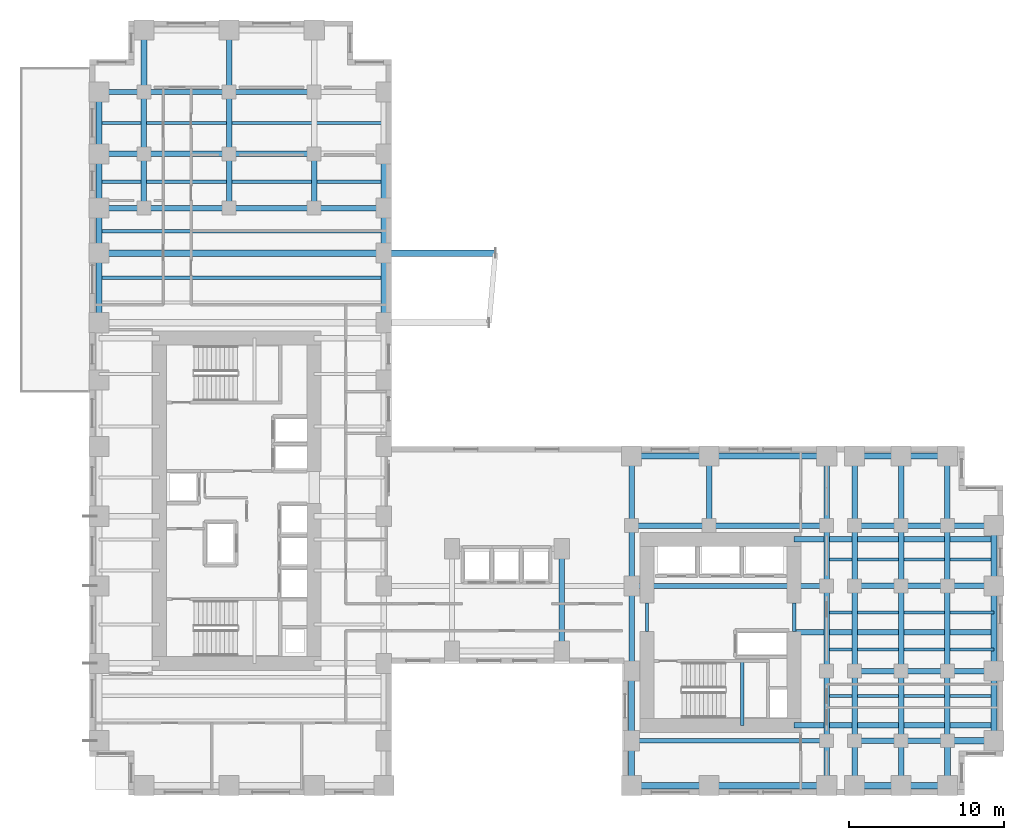
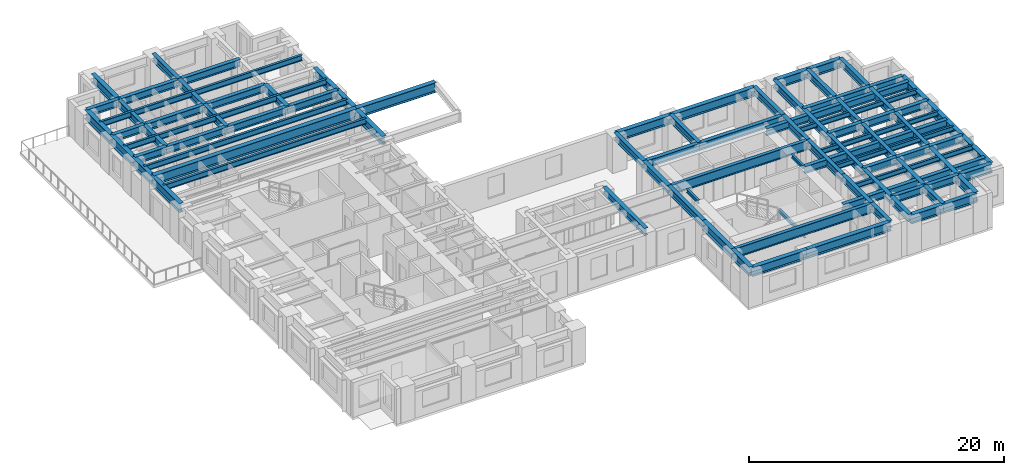
# One storey, part 3 of 15: 94 beams.
"""IFC4 building model written with IfcOpenShell, lengths in metres."""

from ifc_helpers import new_model, si_unit, direction, frame, origin, origin_2d, place, context, subcontext, project, spatial, i_section, extrude, source, transform, mapped, material, material_profile, profile_set, type_object, element, save


model = new_model("IFC4")

# Units and contexts
model_context = context("Model", 3, precision=1e-05, world=origin(), true_north=direction((0.0, 1.0)))
body_context = subcontext(model_context, "Body", "Model", "MODEL_VIEW")
ifc_project = project(units=[si_unit("LENGTHUNIT", "METRE"), si_unit("AREAUNIT", "SQUARE_METRE"), si_unit("VOLUMEUNIT", "CUBIC_METRE"), si_unit("PLANEANGLEUNIT", "RADIAN"), si_unit("MASSUNIT", "GRAM", prefix="KILO")], contexts=[model_context])

# Site, building, storey
site_placement = place(None, origin())
site = spatial("IfcSite", under=ifc_project, at=site_placement, CompositionType="ELEMENT")
building_placement = place(site_placement, origin())
building = spatial("IfcBuilding", under=site, at=building_placement, Name="Kharzan Plaza Tower", CompositionType="ELEMENT")
storey_placement = place(building_placement, frame((0.0, 0.0, 22.5)))
storey = spatial("IfcBuildingStorey", under=building, at=storey_placement, Name="L05", CompositionType="ELEMENT", Elevation=22.5)

# Beams
ifc_material = material(Name="Steel S355", Category="steel")
ifc_material_profile_1 = material_profile(ifc_material, i_section(OverallWidth=0.205078125, OverallDepth=0.35400390625, WebThickness=0.009521484375, FlangeThickness=0.016845703125, at=origin_2d()), Name="W360x79")
ifc_profile_set_1 = profile_set([ifc_material_profile_1], Name="Steel S355")
beam_type_1 = type_object("IfcBeamType", Name="BM-LNT360", PredefinedType="LINTEL", material=ifc_profile_set_1)
shared_shape_1 = source(origin(), body_context, "Body", "SweptSolid", [
    extrude(i_section(OverallWidth=0.205078125, OverallDepth=0.35400390625, WebThickness=0.009521484375, FlangeThickness=0.016845703125, at=origin_2d()), origin(), (0.0, 0.0, 1.0), 1.849853515625),
])
for number, where, z_axis, x_axis, name in (
    (1, (45.5, 10.550048828125, 3.202880859375), (0.0, 1.0, 0.0), (-1.0, 0.0, 0.0), "L05 CORE-B coupling lintel LN1-WE"),
    (2, (36.0, 10.550048828125, 3.202880859375), (0.0, 1.0, 0.0), (-1.0, 0.0, 0.0), "L05 CORE-B coupling lintel LN1-WW"),
):
    element("IfcBeam", number, at=place(storey_placement, frame(where, z_axis=z_axis, x_axis=x_axis)), inside=storey, type_object=beam_type_1, Name=name, PredefinedType="LINTEL", context=body_context, shape_type="MappedRepresentation", body=[
        mapped(shared_shape_1, transform((0.0, 0.0, 0.0), x_axis=(1.0, 0.0, 0.0), y_axis=(0.0, 1.0, 0.0), z_axis=(0.0, 0.0, 1.0))),
    ])
shared_shape_2 = source(origin(), body_context, "Body", "SweptSolid", [
    extrude(i_section(OverallWidth=0.205078125, OverallDepth=0.35400390625, WebThickness=0.009521484375, FlangeThickness=0.016845703125, at=origin_2d()), origin(), (0.0, 0.0, 1.0), 4.155029296875),
])
beam_1_placement = place(storey_placement, frame((42.14990234375, 4.5, 1.423095703125), z_axis=(0.0, 1.0, 0.0), x_axis=(-1.0, 0.0, 0.0)))
element("IfcBeam", 3, at=beam_1_placement, inside=storey, type_object=beam_type_1, Name="L05 Stair ST-3 Half-Landing Beam", PredefinedType="LINTEL", context=body_context, shape_type="MappedRepresentation", body=[
    mapped(shared_shape_2, transform((0.0, 0.0, 0.0), x_axis=(1.0, 0.0, 0.0), y_axis=(0.0, 1.0, 0.0), z_axis=(0.0, 0.0, 1.0))),
])
ifc_material_profile_2 = material_profile(ifc_material, i_section(OverallWidth=0.304931640625, OverallDepth=0.9189453125, WebThickness=0.017333984375, FlangeThickness=0.02783203125, at=origin_2d()), Name="W920x253")
ifc_profile_set_2 = profile_set([ifc_material_profile_2], Name="Steel S355")
beam_type_2 = type_object("IfcBeamType", Name="BM-FG920B", PredefinedType="BEAM", material=ifc_profile_set_2)
shared_shape_3 = source(origin(), body_context, "Body", "SweptSolid", [
    extrude(i_section(OverallWidth=0.304931640625, OverallDepth=0.9189453125, WebThickness=0.017333984375, FlangeThickness=0.02783203125, at=origin_2d()), origin(), (0.0, 0.0, 1.0), 12.60009765625),
])
for number, where, z_axis, x_axis, name in (
    (4, (35.0, 3.5, 2.92041015625), (1.0, 0.0, 0.0), (0.0, 1.0, 0.0), "L05 Primary Floor Girder"),
    (5, (35.0, 13.5, 2.92041015625), (1.0, 0.0, 0.0), (0.0, 1.0, 0.0), "L05 Primary Floor Girder"),
):
    element("IfcBeam", number, at=place(storey_placement, frame(where, z_axis=z_axis, x_axis=x_axis)), inside=storey, type_object=beam_type_2, Name=name, PredefinedType="BEAM", context=body_context, shape_type="MappedRepresentation", body=[
        mapped(shared_shape_3, transform((0.0, 0.0, 0.0), x_axis=(1.0, 0.0, 0.0), y_axis=(0.0, 1.0, 0.0), z_axis=(0.0, 0.0, 1.0))),
    ])
ifc_material_profile_3 = material_profile(ifc_material, i_section(OverallWidth=0.35498046875, OverallDepth=0.695068359375, WebThickness=0.015380859375, FlangeThickness=0.02490234375, at=origin_2d()), Name="W690x217")
ifc_profile_set_3 = profile_set([ifc_material_profile_3], Name="Steel S355")
beam_type_3 = type_object("IfcBeamType", Name="BM-FG690A", PredefinedType="BEAM", material=ifc_profile_set_3)
shared_shape_4 = source(origin(), body_context, "Body", "SweptSolid", [
    extrude(i_section(OverallWidth=0.35498046875, OverallDepth=0.695068359375, WebThickness=0.015380859375, FlangeThickness=0.02490234375, at=origin_2d()), origin(), (0.0, 0.0, 1.0), 4.5),
])
for number, where, z_axis, x_axis, name in (
    (6, (35.0, 17.39990234375, 3.032470703125), (0.0, 1.0, 0.0), (-1.0, 0.0, 0.0), "L05 Interior Frame Girder"),
    (7, (40.0, 17.39990234375, 3.032470703125), (0.0, 1.0, 0.0), (-1.0, 0.0, 0.0), "L05 Interior Frame Girder"),
    (8, (47.60009765625, 3.5, 3.032470703125), (0.0, 1.0, 0.0), (-1.0, 0.0, 0.0), "L05 Interior Frame Girder"),
    (9, (47.60009765625, 17.39990234375, 3.032470703125), (0.0, 1.0, 0.0), (-1.0, 0.0, 0.0), "L05 Interior Frame Girder"),
    (10, (49.39990234375, 3.5, 3.032470703125), (0.0, 1.0, 0.0), (-1.0, 0.0, 0.0), "L05 Interior Frame Girder"),
    (11, (49.39990234375, 17.39990234375, 3.032470703125), (0.0, 1.0, 0.0), (-1.0, 0.0, 0.0), "L05 Interior Frame Girder"),
    (12, (52.39990234375, 3.5, 3.032470703125), (0.0, 1.0, 0.0), (-1.0, 0.0, 0.0), "L05 Interior Frame Girder"),
    (13, (52.39990234375, 17.39990234375, 3.032470703125), (0.0, 1.0, 0.0), (-1.0, 0.0, 0.0), "L05 Interior Frame Girder"),
    (14, (55.39990234375, 3.5, 3.032470703125), (0.0, 1.0, 0.0), (-1.0, 0.0, 0.0), "L05 Interior Frame Girder"),
    (15, (55.39990234375, 17.39990234375, 3.032470703125), (0.0, 1.0, 0.0), (-1.0, 0.0, 0.0), "L05 Interior Frame Girder"),
    (16, (14.5, 37.89990234375, 3.032470703125), (1.0, 0.0, 0.0), (0.0, 1.0, 0.0), "L05 Primary Floor Girder"),
):
    element("IfcBeam", number, at=place(storey_placement, frame(where, z_axis=z_axis, x_axis=x_axis)), inside=storey, type_object=beam_type_3, Name=name, PredefinedType="BEAM", context=body_context, shape_type="MappedRepresentation", body=[
        mapped(shared_shape_4, transform((0.0, 0.0, 0.0), x_axis=(1.0, 0.0, 0.0), y_axis=(0.0, 1.0, 0.0), z_axis=(0.0, 0.0, 1.0))),
    ])
shared_shape_5 = source(origin(), body_context, "Body", "SweptSolid", [
    extrude(i_section(OverallWidth=0.35498046875, OverallDepth=0.695068359375, WebThickness=0.015380859375, FlangeThickness=0.02490234375, at=origin_2d()), origin(), (0.0, 0.0, 1.0), 3.89990234375),
])
for number, where, z_axis, x_axis, name in (
    (17, (35.0, 13.5, 3.032470703125), (0.0, 1.0, 0.0), (-1.0, 0.0, 0.0), "L05 Interior Frame Girder"),
    (18, (47.60009765625, 13.5, 3.032470703125), (0.0, 1.0, 0.0), (-1.0, 0.0, 0.0), "L05 Interior Frame Girder"),
    (19, (49.39990234375, 13.5, 3.032470703125), (0.0, 1.0, 0.0), (-1.0, 0.0, 0.0), "L05 Interior Frame Girder"),
    (20, (52.39990234375, 13.5, 3.032470703125), (0.0, 1.0, 0.0), (-1.0, 0.0, 0.0), "L05 Interior Frame Girder"),
    (21, (55.39990234375, 13.5, 3.032470703125), (0.0, 1.0, 0.0), (-1.0, 0.0, 0.0), "L05 Interior Frame Girder"),
):
    element("IfcBeam", number, at=place(storey_placement, frame(where, z_axis=z_axis, x_axis=x_axis)), inside=storey, type_object=beam_type_3, Name=name, PredefinedType="BEAM", context=body_context, shape_type="MappedRepresentation", body=[
        mapped(shared_shape_5, transform((0.0, 0.0, 0.0), x_axis=(1.0, 0.0, 0.0), y_axis=(0.0, 1.0, 0.0), z_axis=(0.0, 0.0, 1.0))),
    ])
shared_shape_6 = source(origin(), body_context, "Body", "SweptSolid", [
    extrude(i_section(OverallWidth=0.35498046875, OverallDepth=0.695068359375, WebThickness=0.015380859375, FlangeThickness=0.02490234375, at=origin_2d()), origin(), (0.0, 0.0, 1.0), 12.89990234375),
])
for number, where, z_axis, x_axis, name in (
    (22, (45.5, 4.5, 3.032470703125), (1.0, 0.0, 0.0), (0.0, 1.0, 0.0), "L05 Core-B East Floor Girder 1"),
    (23, (45.5, 10.5, 3.032470703125), (1.0, 0.0, 0.0), (0.0, 1.0, 0.0), "L05 Core-B East Floor Girder 2"),
    (24, (45.5, 16.5, 3.032470703125), (1.0, 0.0, 0.0), (0.0, 1.0, 0.0), "L05 Core-B East Floor Girder 3"),
):
    element("IfcBeam", number, at=place(storey_placement, frame(where, z_axis=z_axis, x_axis=x_axis)), inside=storey, type_object=beam_type_3, Name=name, PredefinedType="BEAM", context=body_context, shape_type="MappedRepresentation", body=[
        mapped(shared_shape_6, transform((0.0, 0.0, 0.0), x_axis=(1.0, 0.0, 0.0), y_axis=(0.0, 1.0, 0.0), z_axis=(0.0, 0.0, 1.0))),
    ])
shared_shape_7 = source(origin(), body_context, "Body", "SweptSolid", [
    extrude(i_section(OverallWidth=0.35498046875, OverallDepth=0.695068359375, WebThickness=0.015380859375, FlangeThickness=0.02490234375, at=origin_2d()), origin(), (0.0, 0.0, 1.0), 3.5),
])
for number, where, z_axis, x_axis, name in (
    (25, (3.5, 37.89990234375, 3.032470703125), (0.0, 1.0, 0.0), (-1.0, 0.0, 0.0), "L05 Interior Frame Girder"),
    (26, (9.0, 37.89990234375, 3.032470703125), (0.0, 1.0, 0.0), (-1.0, 0.0, 0.0), "L05 Interior Frame Girder"),
    (27, (14.5, 37.89990234375, 3.032470703125), (0.0, 1.0, 0.0), (-1.0, 0.0, 0.0), "L05 Interior Frame Girder"),
):
    element("IfcBeam", number, at=place(storey_placement, frame(where, z_axis=z_axis, x_axis=x_axis)), inside=storey, type_object=beam_type_3, Name=name, PredefinedType="BEAM", context=body_context, shape_type="MappedRepresentation", body=[
        mapped(shared_shape_7, transform((0.0, 0.0, 0.0), x_axis=(1.0, 0.0, 0.0), y_axis=(0.0, 1.0, 0.0), z_axis=(0.0, 0.0, 1.0))),
    ])
shared_shape_8 = source(origin(), body_context, "Body", "SweptSolid", [
    extrude(i_section(OverallWidth=0.35498046875, OverallDepth=0.695068359375, WebThickness=0.015380859375, FlangeThickness=0.02490234375, at=origin_2d()), origin(), (0.0, 0.0, 1.0), 4.0),
])
for number, where, z_axis, x_axis, name in (
    (28, (3.5, 41.39990234375, 3.032470703125), (0.0, 1.0, 0.0), (-1.0, 0.0, 0.0), "L05 Interior Frame Girder"),
    (29, (9.0, 41.39990234375, 3.032470703125), (0.0, 1.0, 0.0), (-1.0, 0.0, 0.0), "L05 Interior Frame Girder"),
    (30, (9.0, 45.39990234375, 3.032470703125), (0.0, 1.0, 0.0), (-1.0, 0.0, 0.0), "L05 Interior Frame Girder"),
):
    element("IfcBeam", number, at=place(storey_placement, frame(where, z_axis=z_axis, x_axis=x_axis)), inside=storey, type_object=beam_type_3, Name=name, PredefinedType="BEAM", context=body_context, shape_type="MappedRepresentation", body=[
        mapped(shared_shape_8, transform((0.0, 0.0, 0.0), x_axis=(1.0, 0.0, 0.0), y_axis=(0.0, 1.0, 0.0), z_axis=(0.0, 0.0, 1.0))),
    ])
shared_shape_9 = source(origin(), body_context, "Body", "SweptSolid", [
    extrude(i_section(OverallWidth=0.35498046875, OverallDepth=0.695068359375, WebThickness=0.015380859375, FlangeThickness=0.02490234375, at=origin_2d()), origin(), (0.0, 0.0, 1.0), 5.0),
])
beam_2_placement = place(storey_placement, frame((35.0, 17.39990234375, 3.032470703125), z_axis=(1.0, 0.0, 0.0), x_axis=(0.0, 1.0, 0.0)))
element("IfcBeam", 31, at=beam_2_placement, inside=storey, type_object=beam_type_3, Name="L05 Primary Floor Girder", PredefinedType="BEAM", context=body_context, shape_type="MappedRepresentation", body=[
    mapped(shared_shape_9, transform((0.0, 0.0, 0.0), x_axis=(1.0, 0.0, 0.0), y_axis=(0.0, 1.0, 0.0), z_axis=(0.0, 0.0, 1.0))),
])
shared_shape_10 = source(origin(), body_context, "Body", "SweptSolid", [
    extrude(i_section(OverallWidth=0.35498046875, OverallDepth=0.695068359375, WebThickness=0.015380859375, FlangeThickness=0.02490234375, at=origin_2d()), origin(), (0.0, 0.0, 1.0), 6.599853515625),
])
beam_3_placement = place(storey_placement, frame((30.5, 9.300048828125, 3.032470703125), z_axis=(0.0, 1.0, 0.0), x_axis=(-1.0, 0.0, 0.0)))
element("IfcBeam", 32, at=beam_3_placement, inside=storey, type_object=beam_type_3, Name="L05 Interior Frame Girder", PredefinedType="BEAM", context=body_context, shape_type="MappedRepresentation", body=[
    mapped(shared_shape_10, transform((0.0, 0.0, 0.0), x_axis=(1.0, 0.0, 0.0), y_axis=(0.0, 1.0, 0.0), z_axis=(0.0, 0.0, 1.0))),
])
shared_shape_11 = source(origin(), body_context, "Body", "SweptSolid", [
    extrude(i_section(OverallWidth=0.35498046875, OverallDepth=0.695068359375, WebThickness=0.015380859375, FlangeThickness=0.02490234375, at=origin_2d()), origin(), (0.0, 0.0, 1.0), 5.5),
])
for number, where, z_axis, x_axis, name in (
    (33, (35.0, 8.0, 3.032470703125), (0.0, 1.0, 0.0), (-1.0, 0.0, 0.0), "L05 Interior Frame Girder"),
    (34, (47.60009765625, 8.0, 3.032470703125), (0.0, 1.0, 0.0), (-1.0, 0.0, 0.0), "L05 Interior Frame Girder"),
    (35, (49.39990234375, 8.0, 3.032470703125), (0.0, 1.0, 0.0), (-1.0, 0.0, 0.0), "L05 Interior Frame Girder"),
    (36, (52.39990234375, 8.0, 3.032470703125), (0.0, 1.0, 0.0), (-1.0, 0.0, 0.0), "L05 Interior Frame Girder"),
    (37, (55.39990234375, 8.0, 3.032470703125), (0.0, 1.0, 0.0), (-1.0, 0.0, 0.0), "L05 Interior Frame Girder"),
    (38, (3.5, 45.39990234375, 3.032470703125), (1.0, 0.0, 0.0), (0.0, 1.0, 0.0), "L05 Primary Floor Girder"),
    (39, (9.0, 45.39990234375, 3.032470703125), (1.0, 0.0, 0.0), (0.0, 1.0, 0.0), "L05 Primary Floor Girder"),
    (40, (3.5, 37.89990234375, 3.032470703125), (1.0, 0.0, 0.0), (0.0, 1.0, 0.0), "L05 Primary Floor Girder"),
    (41, (9.0, 37.89990234375, 3.032470703125), (1.0, 0.0, 0.0), (0.0, 1.0, 0.0), "L05 Primary Floor Girder"),
    (42, (3.5, 41.39990234375, 3.032470703125), (1.0, 0.0, 0.0), (0.0, 1.0, 0.0), "L05 Primary Floor Girder"),
    (43, (9.0, 41.39990234375, 3.032470703125), (1.0, 0.0, 0.0), (0.0, 1.0, 0.0), "L05 Primary Floor Girder"),
):
    element("IfcBeam", number, at=place(storey_placement, frame(where, z_axis=z_axis, x_axis=x_axis)), inside=storey, type_object=beam_type_3, Name=name, PredefinedType="BEAM", context=body_context, shape_type="MappedRepresentation", body=[
        mapped(shared_shape_11, transform((0.0, 0.0, 0.0), x_axis=(1.0, 0.0, 0.0), y_axis=(0.0, 1.0, 0.0), z_axis=(0.0, 0.0, 1.0))),
    ])
shared_shape_12 = source(origin(), body_context, "Body", "SweptSolid", [
    extrude(i_section(OverallWidth=0.35498046875, OverallDepth=0.695068359375, WebThickness=0.015380859375, FlangeThickness=0.02490234375, at=origin_2d()), origin(), (0.0, 0.0, 1.0), 2.89990234375),
])
for number, where, z_axis, x_axis, name in (
    (44, (47.60009765625, 0.60009765625, 3.032470703125), (0.0, 1.0, 0.0), (-1.0, 0.0, 0.0), "L05 Interior Frame Girder"),
    (45, (49.39990234375, 0.60009765625, 3.032470703125), (0.0, 1.0, 0.0), (-1.0, 0.0, 0.0), "L05 Interior Frame Girder"),
    (46, (52.39990234375, 0.60009765625, 3.032470703125), (0.0, 1.0, 0.0), (-1.0, 0.0, 0.0), "L05 Interior Frame Girder"),
    (47, (0.60009765625, 45.39990234375, 3.032470703125), (1.0, 0.0, 0.0), (0.0, 1.0, 0.0), "L05 Primary Floor Girder"),
    (48, (0.60009765625, 37.89990234375, 3.032470703125), (1.0, 0.0, 0.0), (0.0, 1.0, 0.0), "L05 Primary Floor Girder"),
    (49, (0.60009765625, 41.39990234375, 3.032470703125), (1.0, 0.0, 0.0), (0.0, 1.0, 0.0), "L05 Primary Floor Girder"),
):
    element("IfcBeam", number, at=place(storey_placement, frame(where, z_axis=z_axis, x_axis=x_axis)), inside=storey, type_object=beam_type_3, Name=name, PredefinedType="BEAM", context=body_context, shape_type="MappedRepresentation", body=[
        mapped(shared_shape_12, transform((0.0, 0.0, 0.0), x_axis=(1.0, 0.0, 0.0), y_axis=(0.0, 1.0, 0.0), z_axis=(0.0, 0.0, 1.0))),
    ])
shared_shape_13 = source(origin(), body_context, "Body", "SweptSolid", [
    extrude(i_section(OverallWidth=0.35498046875, OverallDepth=0.695068359375, WebThickness=0.015380859375, FlangeThickness=0.02490234375, at=origin_2d()), origin(), (0.0, 0.0, 1.0), 3.0),
])
for number, where, z_axis, x_axis, name in (
    (50, (49.39990234375, 3.5, 3.032470703125), (1.0, 0.0, 0.0), (0.0, 1.0, 0.0), "L05 Primary Floor Girder"),
    (51, (52.39990234375, 3.5, 3.032470703125), (1.0, 0.0, 0.0), (0.0, 1.0, 0.0), "L05 Primary Floor Girder"),
    (52, (49.39990234375, 8.0, 3.032470703125), (1.0, 0.0, 0.0), (0.0, 1.0, 0.0), "L05 Primary Floor Girder"),
    (53, (52.39990234375, 8.0, 3.032470703125), (1.0, 0.0, 0.0), (0.0, 1.0, 0.0), "L05 Primary Floor Girder"),
    (54, (55.39990234375, 8.0, 3.032470703125), (1.0, 0.0, 0.0), (0.0, 1.0, 0.0), "L05 Primary Floor Girder"),
    (55, (49.39990234375, 13.5, 3.032470703125), (1.0, 0.0, 0.0), (0.0, 1.0, 0.0), "L05 Primary Floor Girder"),
    (56, (52.39990234375, 13.5, 3.032470703125), (1.0, 0.0, 0.0), (0.0, 1.0, 0.0), "L05 Primary Floor Girder"),
    (57, (55.39990234375, 13.5, 3.032470703125), (1.0, 0.0, 0.0), (0.0, 1.0, 0.0), "L05 Primary Floor Girder"),
    (58, (49.39990234375, 17.39990234375, 3.032470703125), (1.0, 0.0, 0.0), (0.0, 1.0, 0.0), "L05 Primary Floor Girder"),
    (59, (52.39990234375, 17.39990234375, 3.032470703125), (1.0, 0.0, 0.0), (0.0, 1.0, 0.0), "L05 Primary Floor Girder"),
    (60, (55.39990234375, 17.39990234375, 3.032470703125), (1.0, 0.0, 0.0), (0.0, 1.0, 0.0), "L05 Primary Floor Girder"),
):
    element("IfcBeam", number, at=place(storey_placement, frame(where, z_axis=z_axis, x_axis=x_axis)), inside=storey, type_object=beam_type_3, Name=name, PredefinedType="BEAM", context=body_context, shape_type="MappedRepresentation", body=[
        mapped(shared_shape_13, transform((0.0, 0.0, 0.0), x_axis=(1.0, 0.0, 0.0), y_axis=(0.0, 1.0, 0.0), z_axis=(0.0, 0.0, 1.0))),
    ])
shared_shape_14 = source(origin(), body_context, "Body", "SweptSolid", [
    extrude(i_section(OverallWidth=0.35498046875, OverallDepth=0.695068359375, WebThickness=0.015380859375, FlangeThickness=0.02490234375, at=origin_2d()), origin(), (0.0, 0.0, 1.0), 7.60009765625),
])
beam_4_placement = place(storey_placement, frame((40.0, 17.39990234375, 3.032470703125), z_axis=(1.0, 0.0, 0.0), x_axis=(0.0, 1.0, 0.0)))
element("IfcBeam", 61, at=beam_4_placement, inside=storey, type_object=beam_type_3, Name="L05 Primary Floor Girder", PredefinedType="BEAM", context=body_context, shape_type="MappedRepresentation", body=[
    mapped(shared_shape_14, transform((0.0, 0.0, 0.0), x_axis=(1.0, 0.0, 0.0), y_axis=(0.0, 1.0, 0.0), z_axis=(0.0, 0.0, 1.0))),
])
ifc_material_profile_4 = material_profile(ifc_material, i_section(OverallWidth=0.2099609375, OverallDepth=0.537109375, WebThickness=0.010986328125, FlangeThickness=0.017333984375, at=origin_2d()), Name="W530x101")
ifc_profile_set_4 = profile_set([ifc_material_profile_4], Name="Steel S355")
beam_type_4 = type_object("IfcBeamType", Name="BM-JST530B", PredefinedType="JOIST", material=ifc_profile_set_4)
shared_shape_15 = source(origin(), body_context, "Body", "SweptSolid", [
    extrude(i_section(OverallWidth=0.2099609375, OverallDepth=0.537109375, WebThickness=0.010986328125, FlangeThickness=0.017333984375, at=origin_2d()), origin(), (0.0, 0.0, 1.0), 18.39990234375),
])
for number, where, z_axis, x_axis, name in (
    (62, (0.60009765625, 33.39990234375, 3.111572265625), (1.0, 0.0, 0.0), (0.0, 1.0, 0.0), "L05 Wing A Composite Joist 05"),
    (63, (0.60009765625, 36.39990234375, 3.111572265625), (1.0, 0.0, 0.0), (0.0, 1.0, 0.0), "L05 Wing A Composite Joist 06"),
    (64, (0.60009765625, 39.60009765625, 3.111572265625), (1.0, 0.0, 0.0), (0.0, 1.0, 0.0), "L05 Wing A Composite Joist 07"),
    (65, (0.60009765625, 43.39990234375, 3.111572265625), (1.0, 0.0, 0.0), (0.0, 1.0, 0.0), "L05 Wing A Composite Joist 08"),
):
    element("IfcBeam", number, at=place(storey_placement, frame(where, z_axis=z_axis, x_axis=x_axis)), inside=storey, type_object=beam_type_4, Name=name, PredefinedType="JOIST", context=body_context, shape_type="MappedRepresentation", body=[
        mapped(shared_shape_15, transform((0.0, 0.0, 0.0), x_axis=(1.0, 0.0, 0.0), y_axis=(0.0, 1.0, 0.0), z_axis=(0.0, 0.0, 1.0))),
    ])
ifc_material_profile_5 = material_profile(ifc_material, i_section(OverallWidth=0.194091796875, OverallDepth=0.468994140625, WebThickness=0.011474609375, FlangeThickness=0.0205078125, at=origin_2d()), Name="W460x106")
ifc_profile_set_5 = profile_set([ifc_material_profile_5], Name="Steel S355")
beam_type_5 = type_object("IfcBeamType", Name="BM-JST460", PredefinedType="JOIST", material=ifc_profile_set_5)
shared_shape_16 = source(origin(), body_context, "Body", "SweptSolid", [
    extrude(i_section(OverallWidth=0.194091796875, OverallDepth=0.468994140625, WebThickness=0.011474609375, FlangeThickness=0.0205078125, at=origin_2d()), origin(), (0.0, 0.0, 1.0), 10.7998046875),
])
for number, where, z_axis, x_axis, name in (
    (66, (47.60009765625, 6.39990234375, 3.1455078125), (1.0, 0.0, 0.0), (0.0, 1.0, 0.0), "L05 Wing B Composite Joist 02"),
    (67, (47.60009765625, 9.39990234375, 3.1455078125), (1.0, 0.0, 0.0), (0.0, 1.0, 0.0), "L05 Wing B Composite Joist 03"),
    (68, (47.60009765625, 11.800048828125, 3.1455078125), (1.0, 0.0, 0.0), (0.0, 1.0, 0.0), "L05 Wing B Composite Joist 04"),
    (69, (47.60009765625, 15.199951171875, 3.1455078125), (1.0, 0.0, 0.0), (0.0, 1.0, 0.0), "L05 Wing B Composite Joist 05"),
):
    element("IfcBeam", number, at=place(storey_placement, frame(where, z_axis=z_axis, x_axis=x_axis)), inside=storey, type_object=beam_type_5, Name=name, PredefinedType="JOIST", context=body_context, shape_type="MappedRepresentation", body=[
        mapped(shared_shape_16, transform((0.0, 0.0, 0.0), x_axis=(1.0, 0.0, 0.0), y_axis=(0.0, 1.0, 0.0), z_axis=(0.0, 0.0, 1.0))),
    ])
ifc_material_profile_6 = material_profile(ifc_material, i_section(OverallWidth=0.40087890625, OverallDepth=0.85498046875, WebThickness=0.018310546875, FlangeThickness=0.029296875, at=origin_2d()), Name="W840x299")
ifc_profile_set_6 = profile_set([ifc_material_profile_6], Name="Steel S355")
beam_type_6 = type_object("IfcBeamType", Name="BM-SP840A", PredefinedType="SPANDREL", material=ifc_profile_set_6)
shared_shape_17 = source(origin(), body_context, "Body", "SweptSolid", [
    extrude(i_section(OverallWidth=0.40087890625, OverallDepth=0.85498046875, WebThickness=0.018310546875, FlangeThickness=0.029296875, at=origin_2d()), origin(), (0.0, 0.0, 1.0), 5.0),
])
for number, where, z_axis, x_axis, name in (
    (70, (35.0, 0.60009765625, 2.952392578125), (1.0, 0.0, 0.0), (0.0, 1.0, 0.0), "L05 Perimeter Tube Spandrel"),
    (71, (35.0, 21.89990234375, 2.952392578125), (1.0, 0.0, 0.0), (0.0, 1.0, 0.0), "L05 Perimeter Tube Spandrel"),
):
    element("IfcBeam", number, at=place(storey_placement, frame(where, z_axis=z_axis, x_axis=x_axis)), inside=storey, type_object=beam_type_6, Name=name, PredefinedType="SPANDREL", context=body_context, shape_type="MappedRepresentation", body=[
        mapped(shared_shape_17, transform((0.0, 0.0, 0.0), x_axis=(1.0, 0.0, 0.0), y_axis=(0.0, 1.0, 0.0), z_axis=(0.0, 0.0, 1.0))),
    ])
shared_shape_18 = source(origin(), body_context, "Body", "SweptSolid", [
    extrude(i_section(OverallWidth=0.40087890625, OverallDepth=0.85498046875, WebThickness=0.018310546875, FlangeThickness=0.029296875, at=origin_2d()), origin(), (0.0, 0.0, 1.0), 4.5),
])
for number, where, z_axis, x_axis, name in (
    (72, (0.60009765625, 30.5, 2.952392578125), (0.0, 1.0, 0.0), (-1.0, 0.0, 0.0), "L05 Perimeter Tube Spandrel"),
    (73, (19.0, 30.5, 2.952392578125), (0.0, 1.0, 0.0), (-1.0, 0.0, 0.0), "L05 Perimeter Tube Spandrel"),
    (74, (35.0, 3.5, 2.952392578125), (0.0, 1.0, 0.0), (-1.0, 0.0, 0.0), "L05 Perimeter Tube Spandrel"),
    (75, (58.39990234375, 3.5, 2.952392578125), (0.0, 1.0, 0.0), (-1.0, 0.0, 0.0), "L05 Perimeter Tube Spandrel"),
):
    element("IfcBeam", number, at=place(storey_placement, frame(where, z_axis=z_axis, x_axis=x_axis)), inside=storey, type_object=beam_type_6, Name=name, PredefinedType="SPANDREL", context=body_context, shape_type="MappedRepresentation", body=[
        mapped(shared_shape_18, transform((0.0, 0.0, 0.0), x_axis=(1.0, 0.0, 0.0), y_axis=(0.0, 1.0, 0.0), z_axis=(0.0, 0.0, 1.0))),
    ])
shared_shape_19 = source(origin(), body_context, "Body", "SweptSolid", [
    extrude(i_section(OverallWidth=0.40087890625, OverallDepth=0.85498046875, WebThickness=0.018310546875, FlangeThickness=0.029296875, at=origin_2d()), origin(), (0.0, 0.0, 1.0), 2.89990234375),
])
for number, where, z_axis, x_axis, name in (
    (76, (0.60009765625, 35.0, 2.952392578125), (0.0, 1.0, 0.0), (-1.0, 0.0, 0.0), "L05 Perimeter Tube Spandrel"),
    (77, (19.0, 35.0, 2.952392578125), (0.0, 1.0, 0.0), (-1.0, 0.0, 0.0), "L05 Perimeter Tube Spandrel"),
    (78, (35.0, 0.60009765625, 2.952392578125), (0.0, 1.0, 0.0), (-1.0, 0.0, 0.0), "L05 Perimeter Tube Spandrel"),
    (79, (55.39990234375, 0.60009765625, 2.952392578125), (0.0, 1.0, 0.0), (-1.0, 0.0, 0.0), "L05 Perimeter Tube Spandrel"),
):
    element("IfcBeam", number, at=place(storey_placement, frame(where, z_axis=z_axis, x_axis=x_axis)), inside=storey, type_object=beam_type_6, Name=name, PredefinedType="SPANDREL", context=body_context, shape_type="MappedRepresentation", body=[
        mapped(shared_shape_19, transform((0.0, 0.0, 0.0), x_axis=(1.0, 0.0, 0.0), y_axis=(0.0, 1.0, 0.0), z_axis=(0.0, 0.0, 1.0))),
    ])
shared_shape_20 = source(origin(), body_context, "Body", "SweptSolid", [
    extrude(i_section(OverallWidth=0.40087890625, OverallDepth=0.85498046875, WebThickness=0.018310546875, FlangeThickness=0.029296875, at=origin_2d()), origin(), (0.0, 0.0, 1.0), 3.5),
])
for number, where, z_axis, x_axis, name in (
    (80, (0.60009765625, 37.89990234375, 2.952392578125), (0.0, 1.0, 0.0), (-1.0, 0.0, 0.0), "L05 Perimeter Tube Spandrel"),
    (81, (19.0, 37.89990234375, 2.952392578125), (0.0, 1.0, 0.0), (-1.0, 0.0, 0.0), "L05 Perimeter Tube Spandrel"),
):
    element("IfcBeam", number, at=place(storey_placement, frame(where, z_axis=z_axis, x_axis=x_axis)), inside=storey, type_object=beam_type_6, Name=name, PredefinedType="SPANDREL", context=body_context, shape_type="MappedRepresentation", body=[
        mapped(shared_shape_20, transform((0.0, 0.0, 0.0), x_axis=(1.0, 0.0, 0.0), y_axis=(0.0, 1.0, 0.0), z_axis=(0.0, 0.0, 1.0))),
    ])
shared_shape_21 = source(origin(), body_context, "Body", "SweptSolid", [
    extrude(i_section(OverallWidth=0.40087890625, OverallDepth=0.85498046875, WebThickness=0.018310546875, FlangeThickness=0.029296875, at=origin_2d()), origin(), (0.0, 0.0, 1.0), 4.0),
])
for number, where, z_axis, x_axis, name in (
    (82, (0.60009765625, 41.39990234375, 2.952392578125), (0.0, 1.0, 0.0), (-1.0, 0.0, 0.0), "L05 Perimeter Tube Spandrel"),
    (83, (3.5, 45.39990234375, 2.952392578125), (0.0, 1.0, 0.0), (-1.0, 0.0, 0.0), "L05 Perimeter Tube Spandrel"),
):
    element("IfcBeam", number, at=place(storey_placement, frame(where, z_axis=z_axis, x_axis=x_axis)), inside=storey, type_object=beam_type_6, Name=name, PredefinedType="SPANDREL", context=body_context, shape_type="MappedRepresentation", body=[
        mapped(shared_shape_21, transform((0.0, 0.0, 0.0), x_axis=(1.0, 0.0, 0.0), y_axis=(0.0, 1.0, 0.0), z_axis=(0.0, 0.0, 1.0))),
    ])
shared_shape_22 = source(origin(), body_context, "Body", "SweptSolid", [
    extrude(i_section(OverallWidth=0.40087890625, OverallDepth=0.85498046875, WebThickness=0.018310546875, FlangeThickness=0.029296875, at=origin_2d()), origin(), (0.0, 0.0, 1.0), 5.5),
])
beam_5_placement = place(storey_placement, frame((58.39990234375, 8.0, 2.952392578125), z_axis=(0.0, 1.0, 0.0), x_axis=(-1.0, 0.0, 0.0)))
element("IfcBeam", 84, at=beam_5_placement, inside=storey, type_object=beam_type_6, Name="L05 Perimeter Tube Spandrel", PredefinedType="SPANDREL", context=body_context, shape_type="MappedRepresentation", body=[
    mapped(shared_shape_22, transform((0.0, 0.0, 0.0), x_axis=(1.0, 0.0, 0.0), y_axis=(0.0, 1.0, 0.0), z_axis=(0.0, 0.0, 1.0))),
])
shared_shape_23 = source(origin(), body_context, "Body", "SweptSolid", [
    extrude(i_section(OverallWidth=0.40087890625, OverallDepth=0.85498046875, WebThickness=0.018310546875, FlangeThickness=0.029296875, at=origin_2d()), origin(), (0.0, 0.0, 1.0), 3.89990234375),
])
beam_6_placement = place(storey_placement, frame((58.39990234375, 13.5, 2.952392578125), z_axis=(0.0, 1.0, 0.0), x_axis=(-1.0, 0.0, 0.0)))
element("IfcBeam", 85, at=beam_6_placement, inside=storey, type_object=beam_type_6, Name="L05 Perimeter Tube Spandrel", PredefinedType="SPANDREL", context=body_context, shape_type="MappedRepresentation", body=[
    mapped(shared_shape_23, transform((0.0, 0.0, 0.0), x_axis=(1.0, 0.0, 0.0), y_axis=(0.0, 1.0, 0.0), z_axis=(0.0, 0.0, 1.0))),
])
shared_shape_24 = source(origin(), body_context, "Body", "SweptSolid", [
    extrude(i_section(OverallWidth=0.40087890625, OverallDepth=0.85498046875, WebThickness=0.018310546875, FlangeThickness=0.029296875, at=origin_2d()), origin(), (0.0, 0.0, 1.0), 7.60009765625),
])
for number, where, z_axis, x_axis, name in (
    (86, (40.0, 0.60009765625, 2.952392578125), (1.0, 0.0, 0.0), (0.0, 1.0, 0.0), "L05 Perimeter Tube Spandrel"),
    (87, (40.0, 21.89990234375, 2.952392578125), (1.0, 0.0, 0.0), (0.0, 1.0, 0.0), "L05 Perimeter Tube Spandrel"),
):
    element("IfcBeam", number, at=place(storey_placement, frame(where, z_axis=z_axis, x_axis=x_axis)), inside=storey, type_object=beam_type_6, Name=name, PredefinedType="SPANDREL", context=body_context, shape_type="MappedRepresentation", body=[
        mapped(shared_shape_24, transform((0.0, 0.0, 0.0), x_axis=(1.0, 0.0, 0.0), y_axis=(0.0, 1.0, 0.0), z_axis=(0.0, 0.0, 1.0))),
    ])
shared_shape_25 = source(origin(), body_context, "Body", "SweptSolid", [
    extrude(i_section(OverallWidth=0.40087890625, OverallDepth=0.85498046875, WebThickness=0.018310546875, FlangeThickness=0.029296875, at=origin_2d()), origin(), (0.0, 0.0, 1.0), 3.0),
])
for number, where, z_axis, x_axis, name in (
    (88, (49.39990234375, 0.60009765625, 2.952392578125), (1.0, 0.0, 0.0), (0.0, 1.0, 0.0), "L05 Perimeter Tube Spandrel"),
    (89, (52.39990234375, 0.60009765625, 2.952392578125), (1.0, 0.0, 0.0), (0.0, 1.0, 0.0), "L05 Perimeter Tube Spandrel"),
    (90, (55.39990234375, 3.5, 2.952392578125), (1.0, 0.0, 0.0), (0.0, 1.0, 0.0), "L05 Perimeter Tube Spandrel"),
    (91, (49.39990234375, 21.89990234375, 2.952392578125), (1.0, 0.0, 0.0), (0.0, 1.0, 0.0), "L05 Perimeter Tube Spandrel"),
    (92, (52.39990234375, 21.89990234375, 2.952392578125), (1.0, 0.0, 0.0), (0.0, 1.0, 0.0), "L05 Perimeter Tube Spandrel"),
):
    element("IfcBeam", number, at=place(storey_placement, frame(where, z_axis=z_axis, x_axis=x_axis)), inside=storey, type_object=beam_type_6, Name=name, PredefinedType="SPANDREL", context=body_context, shape_type="MappedRepresentation", body=[
        mapped(shared_shape_25, transform((0.0, 0.0, 0.0), x_axis=(1.0, 0.0, 0.0), y_axis=(0.0, 1.0, 0.0), z_axis=(0.0, 0.0, 1.0))),
    ])
ifc_material_profile_7 = material_profile(ifc_material, i_section(OverallWidth=0.41796875, OverallDepth=0.93701171875, WebThickness=0.019287109375, FlangeThickness=0.031982421875, at=origin_2d()), Name="W920x342")
ifc_profile_set_7 = profile_set([ifc_material_profile_7], Name="Steel S355")
beam_type_7 = type_object("IfcBeamType", Name="BM-ZTB920", PredefinedType="BEAM", material=ifc_profile_set_7)
shared_shape_26 = source(origin(), body_context, "Body", "SweptSolid", [
    extrude(i_section(OverallWidth=0.41796875, OverallDepth=0.93701171875, WebThickness=0.019287109375, FlangeThickness=0.031982421875, at=origin_2d()), origin(), (0.0, 0.0, 1.0), 18.39990234375),
])
beam_7_placement = place(storey_placement, frame((0.60009765625, 35.0, 2.91162109375), z_axis=(1.0, 0.0, 0.0), x_axis=(0.0, 1.0, 0.0)))
element("IfcBeam", 93, at=beam_7_placement, inside=storey, type_object=beam_type_7, Name="L05 Sky-Terrace Back-Span Girder ZTB1 (L06 G2)", PredefinedType="BEAM", context=body_context, shape_type="MappedRepresentation", body=[
    mapped(shared_shape_26, transform((0.0, 0.0, 0.0), x_axis=(1.0, 0.0, 0.0), y_axis=(0.0, 1.0, 0.0), z_axis=(0.0, 0.0, 1.0))),
])
ifc_material_profile_8 = material_profile(ifc_material, i_section(OverallWidth=0.41796875, OverallDepth=0.93701171875, WebThickness=0.019287109375, FlangeThickness=0.031982421875, at=origin_2d()), Name="W920x342")
ifc_profile_set_8 = profile_set([ifc_material_profile_8], Name="Steel S355")
beam_type_8 = type_object("IfcBeamType", Name="BM-ZTG920", PredefinedType="BEAM", material=ifc_profile_set_8)
shared_shape_27 = source(origin(), body_context, "Body", "SweptSolid", [
    extrude(i_section(OverallWidth=0.41796875, OverallDepth=0.93701171875, WebThickness=0.019287109375, FlangeThickness=0.031982421875, at=origin_2d()), origin(), (0.0, 0.0, 1.0), 7.199951171875),
])
beam_8_placement = place(storey_placement, frame((19.0, 35.0, 2.91162109375), z_axis=(1.0, 0.0, 0.0), x_axis=(0.0, 1.0, 0.0)))
element("IfcBeam", 94, at=beam_8_placement, inside=storey, type_object=beam_type_8, Name="L05 Sky-Terrace Cantilever Girder ZTG1 (L06 G2)", PredefinedType="BEAM", context=body_context, shape_type="MappedRepresentation", body=[
    mapped(shared_shape_27, transform((0.0, 0.0, 0.0), x_axis=(1.0, 0.0, 0.0), y_axis=(0.0, 1.0, 0.0), z_axis=(0.0, 0.0, 1.0))),
])

save(model, "model.ifc")
